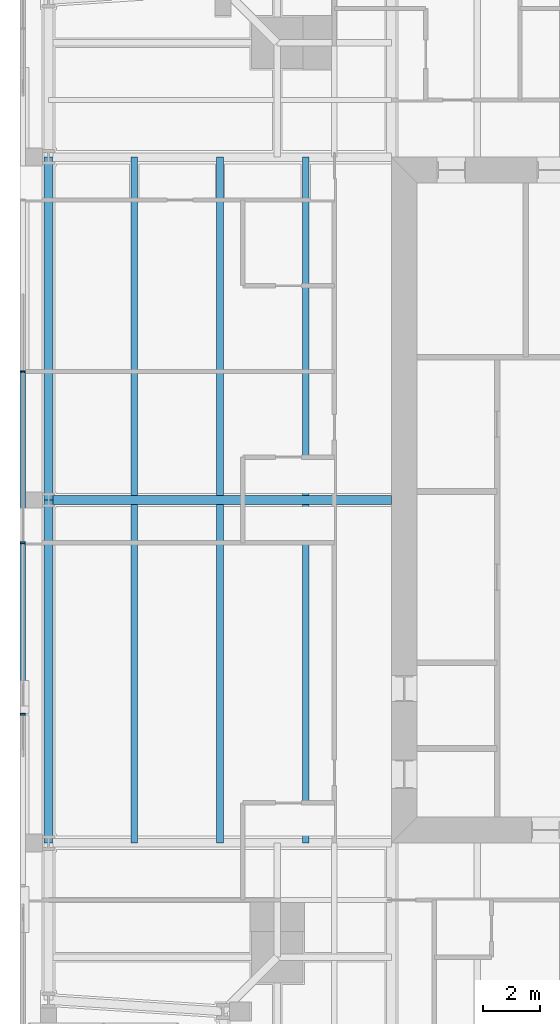
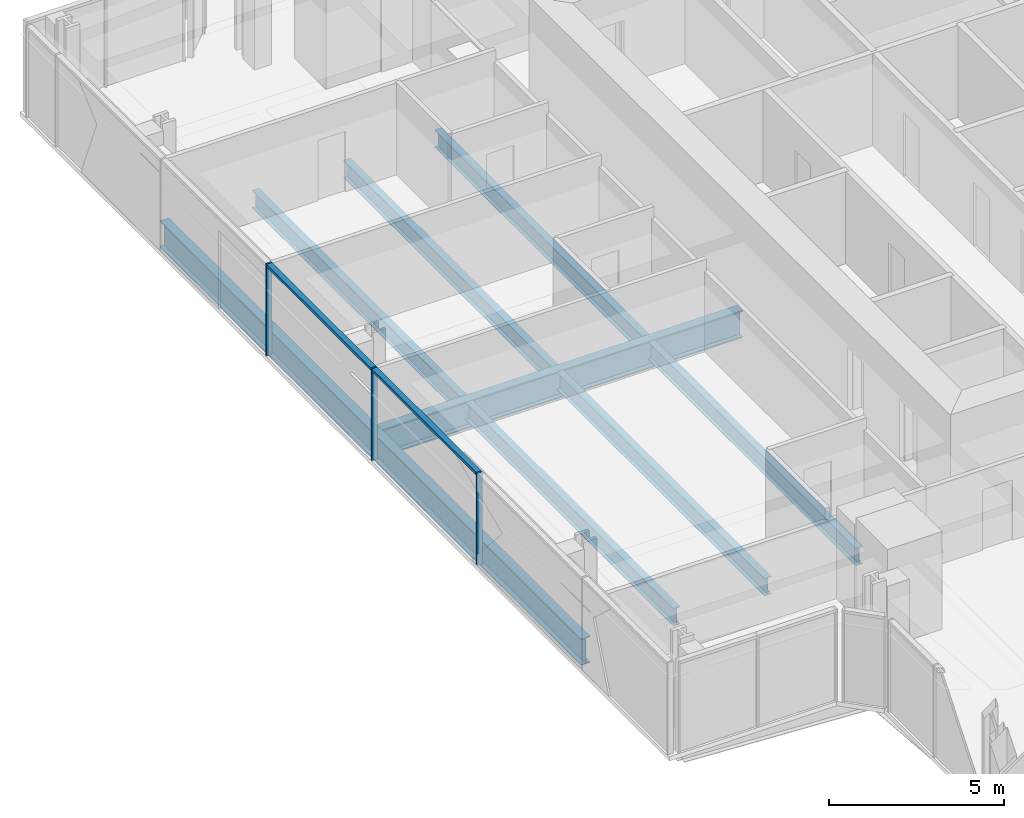
# One storey, part 4 of 18: 9 beams, 5 members, 1 element without a shape of its own.
"""IFC4 building model written with IfcOpenShell, lengths in metres."""

from ifc_helpers import new_model, si_unit, direction, frame, origin, origin_2d, place, context, subcontext, project, spatial, rectangle, i_section, extrude, material, material_profile, profile_set, type_object, element, aggregate, save


model = new_model("IFC4")

# Units and contexts
model_context = context("Model", 3, precision=1e-05, world=origin(), true_north=direction((0.0, 1.0)))
body_context = subcontext(model_context, "Body", "Model", "MODEL_VIEW")
ifc_project = project(units=[si_unit("LENGTHUNIT", "METRE"), si_unit("AREAUNIT", "SQUARE_METRE"), si_unit("VOLUMEUNIT", "CUBIC_METRE"), si_unit("PLANEANGLEUNIT", "RADIAN"), si_unit("MASSUNIT", "GRAM", prefix="KILO")], contexts=[model_context])

# Site, building, storey
site_placement = place(None, origin())
site = spatial("IfcSite", under=ifc_project, at=site_placement, CompositionType="ELEMENT")
building_placement = place(site_placement, origin())
building = spatial("IfcBuilding", under=site, at=building_placement, Name="Fenwick Lantern Interchange", CompositionType="ELEMENT")
storey_placement = place(building_placement, frame((0.0, 0.0, 293.39990234375)))
storey = spatial("IfcBuildingStorey", under=building, at=storey_placement, Name="L71", CompositionType="ELEMENT", Elevation=293.39990234375)

# Beams
ifc_material_1 = material(Name="Steel ASTM A992 Grade 50", Category="steel")
ifc_material_profile_1 = material_profile(ifc_material_1, i_section(OverallWidth=0.3046875, OverallDepth=0.911865234375, WebThickness=0.015869140625, FlangeThickness=0.02392578125, at=origin_2d()), Name="W36X150")
ifc_profile_set_1 = profile_set([ifc_material_profile_1], Name="Steel ASTM A992 Grade 50")
beam_type_1 = type_object("IfcBeamType", Name="EDGE BEAM W36X150", PredefinedType="SPANDREL", material=ifc_profile_set_1)
for number, where, z_axis, x_axis, name in (
    (1, (1.0, 37.0, -0.605712890625), (0.0, -1.0, 0.0), (1.0, 0.0, 0.0), "L71/FR/W/EB2"),
    (2, (1.0, 25.0, -0.605712890625), (0.0, -1.0, 0.0), (1.0, 0.0, 0.0), "L71/FR/W/EB3"),
):
    element("IfcBeam", number, at=place(storey_placement, frame(where, z_axis=z_axis, x_axis=x_axis)), inside=storey, type_object=beam_type_1, Name=name, PredefinedType="SPANDREL", context=body_context, shape_type="SweptSolid", body=[
        extrude(i_section(OverallWidth=0.3046875, OverallDepth=0.911865234375, WebThickness=0.015869140625, FlangeThickness=0.02392578125, at=origin_2d()), origin(), (0.0, 0.0, 1.0), 12.0),
    ])
ifc_material_profile_2 = material_profile(ifc_material_1, i_section(OverallWidth=0.22900390625, OverallDepth=0.612060546875, WebThickness=0.011962890625, FlangeThickness=0.01953125, at=origin_2d()), Name="W24X84")
ifc_profile_set_2 = profile_set([ifc_material_profile_2], Name="Steel ASTM A992 Grade 50")
beam_type_2 = type_object("IfcBeamType", Name="FLOOR BEAM W24X84", PredefinedType="BEAM", material=ifc_profile_set_2)
for number, where, z_axis, x_axis, name in (
    (3, (4.0, 37.0, -0.4560546875), (0.0, -1.0, 0.0), (1.0, 0.0, 0.0), "L71/FR/W/B01"),
    (4, (7.0, 37.0, -0.4560546875), (0.0, -1.0, 0.0), (1.0, 0.0, 0.0), "L71/FR/W/B02"),
    (5, (10.0, 37.0, -0.4560546875), (0.0, -1.0, 0.0), (1.0, 0.0, 0.0), "L71/FR/W/B03"),
    (6, (4.0, 24.844970703125, -0.4560546875), (0.0, -1.0, 0.0), (1.0, 0.0, 0.0), "L71/FR/W/B04"),
    (7, (7.0, 24.844970703125, -0.4560546875), (0.0, -1.0, 0.0), (1.0, 0.0, 0.0), "L71/FR/W/B05"),
    (8, (10.0, 24.844970703125, -0.4560546875), (0.0, -1.0, 0.0), (1.0, 0.0, 0.0), "L71/FR/W/B06"),
):
    element("IfcBeam", number, at=place(storey_placement, frame(where, z_axis=z_axis, x_axis=x_axis)), inside=storey, type_object=beam_type_2, Name=name, PredefinedType="BEAM", context=body_context, shape_type="SweptSolid", body=[
        extrude(i_section(OverallWidth=0.22900390625, OverallDepth=0.612060546875, WebThickness=0.011962890625, FlangeThickness=0.01953125, at=origin_2d()), origin(), (0.0, 0.0, 1.0), 11.844970703125),
    ])

# Curtain wall, members
ifc_material_2 = material(Name="Aluminium curtain wall frame", Category="aluminium")
curtain_wall_type = type_object("IfcCurtainWallType", Name="HOTEL CURTAIN WALL", PredefinedType="USERDEFINED", material=ifc_material_2)
curtain_wall_placement = place(storey_placement, origin())
curtain_wall = element("IfcCurtainWall", 9, at=curtain_wall_placement, inside=storey, type_object=curtain_wall_type, Name="Hotel curtain wall 13", ObjectType="HOTEL CURTAIN WALL", PredefinedType="USERDEFINED")
ifc_material_3 = material(Name="Aluminium extrusion", Category="aluminium")
ifc_material_profile_3 = material_profile(ifc_material_3, rectangle(XDim=0.179931640625, YDim=0.06005859375, at=origin_2d()), Name="HOTEL CURTAIN WALL MULLION 60 X 180")
ifc_profile_set_3 = profile_set([ifc_material_profile_3], Name="Aluminium extrusion")
member_type_1 = type_object("IfcMemberType", Name="HOTEL CURTAIN WALL MULLION 60 X 180", PredefinedType="MULLION", material=ifc_profile_set_3)
member_1_placement = place(storey_placement, frame((0.10009765625, 29.5, 0.0), z_axis=(0.0, 0.0, 1.0), x_axis=(1.0, 0.0, 0.0)))
member_1 = element("IfcMember", 10, at=member_1_placement, type_object=member_type_1, Name="L71/CW/13/M03", PredefinedType="MULLION", context=body_context, shape_type="SweptSolid", body=[
    extrude(rectangle(XDim=0.179931640625, YDim=0.06005859375, at=origin_2d()), origin(), (0.0, 0.0, 1.0), 3.2001953125),
])
member_2_placement = place(storey_placement, frame((0.10009765625, 23.5, 0.0), z_axis=(0.0, 0.0, 1.0), x_axis=(1.0, 0.0, 0.0)))
member_2 = element("IfcMember", 11, at=member_2_placement, type_object=member_type_1, Name="L71/CW/13/M04", PredefinedType="MULLION", context=body_context, shape_type="SweptSolid", body=[
    extrude(rectangle(XDim=0.179931640625, YDim=0.06005859375, at=origin_2d()), origin(), (0.0, 0.0, 1.0), 3.2001953125),
])
member_3_placement = place(storey_placement, frame((0.10009765625, 17.5, 0.0), z_axis=(0.0, 0.0, 1.0), x_axis=(1.0, 0.0, 0.0)))
member_3 = element("IfcMember", 12, at=member_3_placement, type_object=member_type_1, Name="L71/CW/13/M05", PredefinedType="MULLION", context=body_context, shape_type="SweptSolid", body=[
    extrude(rectangle(XDim=0.179931640625, YDim=0.06005859375, at=origin_2d()), origin(), (0.0, 0.0, 1.0), 3.2001953125),
])
ifc_material_profile_4 = material_profile(ifc_material_3, rectangle(XDim=0.179931640625, YDim=0.10009765625, at=origin_2d()), Name="HOTEL CURTAIN WALL TRANSOM 100 X 180")
ifc_profile_set_4 = profile_set([ifc_material_profile_4], Name="Aluminium extrusion")
member_type_2 = type_object("IfcMemberType", Name="HOTEL CURTAIN WALL TRANSOM 100 X 180", PredefinedType="MULLION", material=ifc_profile_set_4)
member_4_placement = place(storey_placement, frame((0.10009765625, 29.469970703125, 3.150146484375), z_axis=(0.0, -1.0, 0.0), x_axis=(1.0, 0.0, 0.0)))
member_4 = element("IfcMember", 13, at=member_4_placement, type_object=member_type_2, Name="L71/CW/13/T03", PredefinedType="MULLION", context=body_context, shape_type="SweptSolid", body=[
    extrude(rectangle(XDim=0.179931640625, YDim=0.10009765625, at=origin_2d()), origin(), (0.0, 0.0, 1.0), 5.93994140625),
])
member_5_placement = place(storey_placement, frame((0.10009765625, 23.469970703125, 3.150146484375), z_axis=(0.0, -1.0, 0.0), x_axis=(1.0, 0.0, 0.0)))
member_5 = element("IfcMember", 14, at=member_5_placement, type_object=member_type_2, Name="L71/CW/13/T04", PredefinedType="MULLION", context=body_context, shape_type="SweptSolid", body=[
    extrude(rectangle(XDim=0.179931640625, YDim=0.10009765625, at=origin_2d()), origin(), (0.0, 0.0, 1.0), 5.93994140625),
])
aggregate(curtain_wall, [member_1, member_2, member_3, member_4, member_5])

# Beam
ifc_material_profile_5 = material_profile(ifc_material_1, i_section(OverallWidth=0.309814453125, OverallDepth=0.949951171875, WebThickness=0.0244140625, FlangeThickness=0.0439453125, at=origin_2d()), Name="W36X256")
ifc_profile_set_5 = profile_set([ifc_material_profile_5], Name="Steel ASTM A992 Grade 50")
beam_type_3 = type_object("IfcBeamType", Name="MOMENT-CONNECTED GIRDER W36X256", PredefinedType="BEAM", material=ifc_profile_set_5)
beam_placement = place(storey_placement, frame((1.0, 25.0, -0.625), z_axis=(1.0, 0.0, 0.0), x_axis=(0.0, 1.0, 0.0)))
element("IfcBeam", 15, at=beam_placement, inside=storey, type_object=beam_type_3, Name="L71/FR/W/R02", PredefinedType="BEAM", context=body_context, shape_type="SweptSolid", body=[
    extrude(i_section(OverallWidth=0.309814453125, OverallDepth=0.949951171875, WebThickness=0.0244140625, FlangeThickness=0.0439453125, at=origin_2d()), origin(), (0.0, 0.0, 1.0), 12.0),
])

save(model, "model.ifc")
